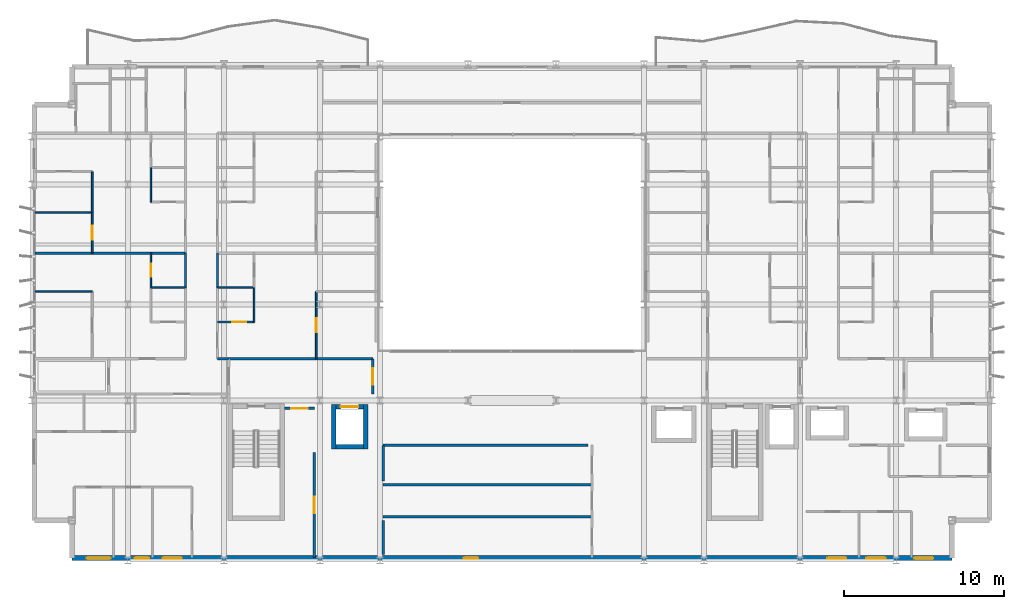
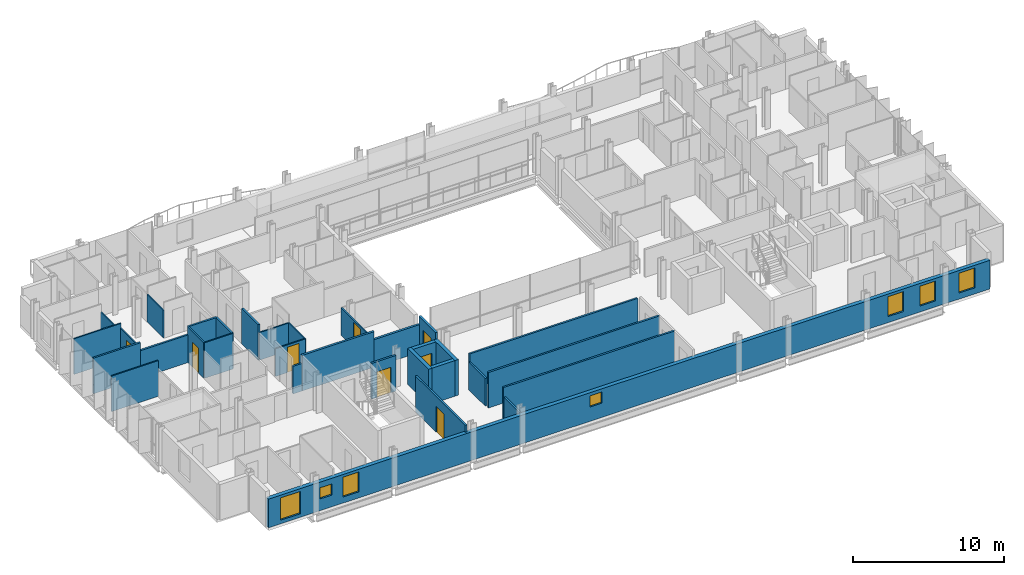
# One storey, part 28 of 39: 32 walls, 8 doors, 7 windows, 15 openings.
"""IFC4 building model written with IfcOpenShell, lengths in metres."""

from ifc_helpers import new_model, si_unit, direction, frame, frame_2d, origin, place, context, subcontext, project, spatial, rectangle, extrude, material, layer, layer_set, type_object, element, fill, save


model = new_model("IFC4")

# Units and contexts
model_context = context("Model", 3, precision=1e-05, world=origin(), true_north=direction((0.0, 1.0)))
body_context = subcontext(model_context, "Body", "Model", "MODEL_VIEW")
ifc_project = project(units=[si_unit("LENGTHUNIT", "METRE"), si_unit("AREAUNIT", "SQUARE_METRE"), si_unit("VOLUMEUNIT", "CUBIC_METRE"), si_unit("PLANEANGLEUNIT", "RADIAN"), si_unit("MASSUNIT", "GRAM", prefix="KILO")], contexts=[model_context])

# Site, building, storey
site_placement = place(None, origin())
site = spatial("IfcSite", under=ifc_project, at=site_placement, CompositionType="ELEMENT")
building_placement = place(site_placement, origin())
building = spatial("IfcBuilding", under=site, at=building_placement, Name="Brevholm Reach", CompositionType="ELEMENT")
storey_placement = place(building_placement, frame((0.0, 0.0, 83.800048828125)))
storey = spatial("IfcBuildingStorey", under=building, at=storey_placement, Name="L24", CompositionType="ELEMENT", Elevation=83.800048828125)

# Walls
ifc_material_1 = material(Name="Concrete C50/60", Category="concrete")
ifc_layer_1 = layer(ifc_material_1, 0.280029296875)
ifc_layer_set_1 = layer_set([ifc_layer_1], Name="Concrete C50/60")
wall_type_1 = type_object("IfcWallType", Name="WAL-COR-280", PredefinedType="SHEAR", material=ifc_layer_set_1)
for number, where, z_axis, x_axis, name in (
    (1, (18.85009765625, 6.9599609375, 0.0), (0.0, 0.0, 1.0), (0.0, 1.0, 0.0), "L24 Lift FFL-1 Shaft Wall W"),
    (2, (20.85009765625, 6.9599609375, 0.0), (0.0, 0.0, 1.0), (0.0, 1.0, 0.0), "L24 Lift FFL-1 Shaft Wall E"),
):
    element("IfcWall", number, at=place(storey_placement, frame(where, z_axis=z_axis, x_axis=x_axis)), inside=storey, type_object=wall_type_1, Name=name, PredefinedType="SHEAR", context=body_context, shape_type="SweptSolid", body=[
        extrude(rectangle(XDim=2.780029296875, YDim=0.280029296875, at=frame_2d((1.39013671875, 0.0))), origin(), (0.0, 0.0, 1.0), 2.869873046875),
    ])
wall_1_placement = place(storey_placement, frame((18.989990234375, 7.10009765625, 0.0), z_axis=(0.0, 0.0, 1.0), x_axis=(1.0, 0.0, 0.0)))
element("IfcWall", 3, at=wall_1_placement, inside=storey, type_object=wall_type_1, Name="L24 Lift FFL-1 Shaft Wall S", PredefinedType="SHEAR", context=body_context, shape_type="SweptSolid", body=[
    extrude(rectangle(XDim=1.719970703125, YDim=0.280029296875, at=frame_2d((0.85986328125, 0.0))), origin(), (0.0, 0.0, 1.0), 2.869873046875),
])

# Wall, opening, door
wall_2_placement = place(storey_placement, frame((18.989990234375, 9.60009765625, 0.0), z_axis=(0.0, 0.0, 1.0), x_axis=(1.0, 0.0, 0.0)))
wall_2 = element("IfcWall", 4, at=wall_2_placement, inside=storey, type_object=wall_type_1, Name="L24 Lift FFL-1 Shaft Wall N", PredefinedType="SHEAR", context=body_context, shape_type="SweptSolid", body=[
    extrude(rectangle(XDim=1.719970703125, YDim=0.280029296875, at=frame_2d((0.85986328125, 0.0))), origin(), (0.0, 0.0, 1.0), 2.869873046875),
])
opening_1_placement = place(wall_2_placement, frame((0.31005859375, 0.0, 0.0)))
opening_1 = element("IfcOpeningElement", 5, at=opening_1_placement, cuts=wall_2, Name="Opening LD-FFL-1", PredefinedType="OPENING", context=body_context, shape_type="SweptSolid", body=[
    extrude(rectangle(XDim=1.10009765625, YDim=2.06005859375, at=frame_2d((0.550048828125, 1.030029296875))), frame((0.0, 0.14990234375, 0.0), z_axis=(0.0, -1.0, 0.0), x_axis=(1.0, 0.0, 0.0)), (0.0, 0.0, 1.0), 0.300048828125),
])
ifc_material_2 = material(Name="Brushed Stainless Steel Fire-Rated Sliding Lift Door", Category="steel")
door_type_1 = type_object("IfcDoorType", Name="DOR-LFT-1100", OperationType="NOTDEFINED", PredefinedType="DOOR", material=ifc_material_2)
door_1_placement = place(opening_1_placement, origin())
door_1 = element("IfcDoor", 6, at=door_1_placement, inside=storey, type_object=door_type_1, Name="L24 Lift FFL-1 Sliding Landing Door", OperationType="SLIDING_TO_RIGHT", OverallHeight=2.06005859375, OverallWidth=1.10009765625, PredefinedType="DOOR", context=body_context, shape_type="SweptSolid", body=[
    extrude(rectangle(XDim=1.10009765625, YDim=2.06005859375, at=frame_2d((0.550048828125, 1.030029296875))), frame((0.0, 0.02490234375, 0.0), z_axis=(0.0, -1.0, 0.0), x_axis=(1.0, 0.0, 0.0)), (0.0, 0.0, 1.0), 0.050048828125),
])
fill(opening_1, door_1)

# Wall, openings, windows
ifc_material_3 = material(Name="Concrete C40/50", Category="concrete")
ifc_layer_2 = layer(ifc_material_3, 0.300048828125)
ifc_layer_set_2 = layer_set([ifc_layer_2], Name="Concrete C40/50")
wall_type_2 = type_object("IfcWallType", Name="WAL-EXT-300", PredefinedType="STANDARD", material=ifc_layer_set_2)
wall_3_placement = place(storey_placement, frame((2.5, 0.14990234375, 0.0), z_axis=(0.0, 0.0, 1.0), x_axis=(1.0, 0.0, 0.0)))
wall_3 = element("IfcWall", 7, at=wall_3_placement, inside=storey, type_object=wall_type_2, Name="L24 Facade Wall WAL-L24-S", PredefinedType="STANDARD", context=body_context, shape_type="SweptSolid", body=[
    extrude(rectangle(XDim=55.0, YDim=0.300048828125, at=frame_2d((27.5, 0.0))), origin(), (0.0, 0.0, 1.0), 2.305419921875),
])
opening_2_placement = place(wall_3_placement, frame((0.919921875, 0.0, 0.285888671875)))
opening_2 = element("IfcOpeningElement", 8, at=opening_2_placement, cuts=wall_3, Name="Opening WN-05", PredefinedType="OPENING", context=body_context, shape_type="SweptSolid", body=[
    extrude(rectangle(XDim=1.5, YDim=1.800048828125, at=frame_2d((0.75, 0.89990234375))), frame((0.0, 0.159912109375, 0.0), z_axis=(0.0, -1.0, 0.0), x_axis=(1.0, 0.0, 0.0)), (0.0, 0.0, 1.0), 0.320068359375),
])
opening_3_placement = place(wall_3_placement, frame((24.5, 0.0, 1.14990234375)))
opening_3 = element("IfcOpeningElement", 9, at=opening_3_placement, cuts=wall_3, Name="Opening WN-09", PredefinedType="OPENING", context=body_context, shape_type="SweptSolid", body=[
    extrude(rectangle(XDim=0.89990234375, YDim=0.89990234375, at=frame_2d((0.449951171875, 0.449951171875))), frame((0.0, 0.159912109375, 0.0), z_axis=(0.0, -1.0, 0.0), x_axis=(1.0, 0.0, 0.0)), (0.0, 0.0, 1.0), 0.320068359375),
])
opening_4_placement = place(wall_3_placement, frame((47.199951171875, 0.0, 0.486083984375)))
opening_4 = element("IfcOpeningElement", 10, at=opening_4_placement, cuts=wall_3, Name="Opening WN-08", PredefinedType="OPENING", context=body_context, shape_type="SweptSolid", body=[
    extrude(rectangle(XDim=1.199951171875, YDim=1.60009765625, at=frame_2d((0.60009765625, 0.800048828125))), frame((0.0, 0.159912109375, 0.0), z_axis=(0.0, -1.0, 0.0), x_axis=(1.0, 0.0, 0.0)), (0.0, 0.0, 1.0), 0.320068359375),
])
opening_5_placement = place(wall_3_placement, frame((52.6298828125, 0.0, 0.486083984375)))
opening_5 = element("IfcOpeningElement", 11, at=opening_5_placement, cuts=wall_3, Name="Opening WN-08", PredefinedType="OPENING", context=body_context, shape_type="SweptSolid", body=[
    extrude(rectangle(XDim=1.199951171875, YDim=1.60009765625, at=frame_2d((0.60009765625, 0.800048828125))), frame((0.0, 0.159912109375, 0.0), z_axis=(0.0, -1.0, 0.0), x_axis=(1.0, 0.0, 0.0)), (0.0, 0.0, 1.0), 0.320068359375),
])
opening_6_placement = place(wall_3_placement, frame((3.923828125, 0.0, 0.949951171875)))
opening_6 = element("IfcOpeningElement", 12, at=opening_6_placement, cuts=wall_3, Name="Opening WN-09", PredefinedType="OPENING", context=body_context, shape_type="SweptSolid", body=[
    extrude(rectangle(XDim=0.89990234375, YDim=0.89990234375, at=frame_2d((0.449951171875, 0.449951171875))), frame((0.0, 0.159912109375, 0.0), z_axis=(0.0, -1.0, 0.0), x_axis=(1.0, 0.0, 0.0)), (0.0, 0.0, 1.0), 0.320068359375),
])
opening_7_placement = place(wall_3_placement, frame((5.675048828125, 0.0, 0.485595703125)))
opening_7 = element("IfcOpeningElement", 13, at=opening_7_placement, cuts=wall_3, Name="Opening WN-08", PredefinedType="OPENING", context=body_context, shape_type="SweptSolid", body=[
    extrude(rectangle(XDim=1.199951171875, YDim=1.60009765625, at=frame_2d((0.60009765625, 0.800048828125))), frame((0.0, 0.159912109375, 0.0), z_axis=(0.0, -1.0, 0.0), x_axis=(1.0, 0.0, 0.0)), (0.0, 0.0, 1.0), 0.320068359375),
])
opening_8_placement = place(wall_3_placement, frame((49.638671875, 0.0, 0.485595703125)))
opening_8 = element("IfcOpeningElement", 14, at=opening_8_placement, cuts=wall_3, Name="Opening WN-08", PredefinedType="OPENING", context=body_context, shape_type="SweptSolid", body=[
    extrude(rectangle(XDim=1.199951171875, YDim=1.60009765625, at=frame_2d((0.60009765625, 0.800048828125))), frame((0.0, 0.159912109375, 0.0), z_axis=(0.0, -1.0, 0.0), x_axis=(1.0, 0.0, 0.0)), (0.0, 0.0, 1.0), 0.320068359375),
])
ifc_material_4 = material(Name="Dark Anodised Aluminium and Solar-Control IGU Glass", Category="aluminium")
window_type_1 = type_object("IfcWindowType", Name="WIN-POR-0900", PartitioningType="SINGLE_PANEL", PredefinedType="WINDOW", material=ifc_material_4)
window_1_placement = place(opening_3_placement, origin())
window_1 = element("IfcWindow", 15, at=window_1_placement, inside=storey, type_object=window_type_1, Name="L24 Window WIN-L24-S-POR", OverallHeight=0.89990234375, OverallWidth=0.89990234375, PartitioningType="SINGLE_PANEL", PredefinedType="WINDOW", context=body_context, shape_type="SweptSolid", body=[
    extrude(rectangle(XDim=0.89990234375, YDim=0.89990234375, at=frame_2d((0.449951171875, 0.449951171875))), frame((0.0, 0.030029296875, 0.0), z_axis=(0.0, -1.0, 0.0), x_axis=(1.0, 0.0, 0.0)), (0.0, 0.0, 1.0), 0.06005859375),
])
fill(opening_3, window_1)
window_2_placement = place(opening_6_placement, origin())
window_2 = element("IfcWindow", 16, at=window_2_placement, inside=storey, type_object=window_type_1, Name="L24 Bedroom Window 028", OverallHeight=0.89990234375, OverallWidth=0.89990234375, PartitioningType="SINGLE_PANEL", PredefinedType="WINDOW", context=body_context, shape_type="SweptSolid", body=[
    extrude(rectangle(XDim=0.89990234375, YDim=0.89990234375, at=frame_2d((0.449951171875, 0.449951171875))), frame((0.0, 0.030029296875, 0.0), z_axis=(0.0, -1.0, 0.0), x_axis=(1.0, 0.0, 0.0)), (0.0, 0.0, 1.0), 0.06005859375),
])
fill(opening_6, window_2)
ifc_material_5 = material(Name="Dark Anodised Aluminium and Solar-Control IGU Glass", Category="aluminium")
window_type_2 = type_object("IfcWindowType", Name="WIN-RES-1200", PartitioningType="SINGLE_PANEL", PredefinedType="WINDOW", material=ifc_material_5)
window_3_placement = place(opening_4_placement, origin())
window_3 = element("IfcWindow", 17, at=window_3_placement, inside=storey, type_object=window_type_2, Name="L24 Window WIN-L24-S-E1", OverallHeight=1.60009765625, OverallWidth=1.199951171875, PartitioningType="SINGLE_PANEL", PredefinedType="WINDOW", context=body_context, shape_type="SweptSolid", body=[
    extrude(rectangle(XDim=1.199951171875, YDim=1.60009765625, at=frame_2d((0.60009765625, 0.800048828125))), frame((0.0, 0.030029296875, 0.0), z_axis=(0.0, -1.0, 0.0), x_axis=(1.0, 0.0, 0.0)), (0.0, 0.0, 1.0), 0.06005859375),
])
fill(opening_4, window_3)
window_4_placement = place(opening_5_placement, origin())
window_4 = element("IfcWindow", 18, at=window_4_placement, inside=storey, type_object=window_type_2, Name="L24 Window WIN-L24-S-E2", OverallHeight=1.60009765625, OverallWidth=1.199951171875, PartitioningType="SINGLE_PANEL", PredefinedType="WINDOW", context=body_context, shape_type="SweptSolid", body=[
    extrude(rectangle(XDim=1.199951171875, YDim=1.60009765625, at=frame_2d((0.60009765625, 0.800048828125))), frame((0.0, 0.030029296875, 0.0), z_axis=(0.0, -1.0, 0.0), x_axis=(1.0, 0.0, 0.0)), (0.0, 0.0, 1.0), 0.06005859375),
])
fill(opening_5, window_4)
window_5_placement = place(opening_7_placement, origin())
window_5 = element("IfcWindow", 19, at=window_5_placement, inside=storey, type_object=window_type_2, Name="L24 Bedroom Window 029", OverallHeight=1.60009765625, OverallWidth=1.199951171875, PartitioningType="SINGLE_PANEL", PredefinedType="WINDOW", context=body_context, shape_type="SweptSolid", body=[
    extrude(rectangle(XDim=1.199951171875, YDim=1.60009765625, at=frame_2d((0.60009765625, 0.800048828125))), frame((0.0, 0.030029296875, 0.0), z_axis=(0.0, -1.0, 0.0), x_axis=(1.0, 0.0, 0.0)), (0.0, 0.0, 1.0), 0.06005859375),
])
fill(opening_7, window_5)
window_6_placement = place(opening_8_placement, origin())
window_6 = element("IfcWindow", 20, at=window_6_placement, inside=storey, type_object=window_type_2, Name="L24 Bedroom Window 030", OverallHeight=1.60009765625, OverallWidth=1.199951171875, PartitioningType="SINGLE_PANEL", PredefinedType="WINDOW", context=body_context, shape_type="SweptSolid", body=[
    extrude(rectangle(XDim=1.199951171875, YDim=1.60009765625, at=frame_2d((0.60009765625, 0.800048828125))), frame((0.0, 0.030029296875, 0.0), z_axis=(0.0, -1.0, 0.0), x_axis=(1.0, 0.0, 0.0)), (0.0, 0.0, 1.0), 0.06005859375),
])
fill(opening_8, window_6)
ifc_material_6 = material(Name="Dark Anodised Aluminium and Solar-Control IGU Glass", Category="aluminium")
window_type_3 = type_object("IfcWindowType", Name="WIN-RES-1500", PartitioningType="SINGLE_PANEL", PredefinedType="WINDOW", material=ifc_material_6)
window_7_placement = place(opening_2_placement, origin())
window_7 = element("IfcWindow", 21, at=window_7_placement, inside=storey, type_object=window_type_3, Name="L24 Window WIN-L24-S-W1", OverallHeight=1.800048828125, OverallWidth=1.5, PartitioningType="SINGLE_PANEL", PredefinedType="WINDOW", context=body_context, shape_type="SweptSolid", body=[
    extrude(rectangle(XDim=1.5, YDim=1.800048828125, at=frame_2d((0.75, 0.89990234375))), frame((0.0, 0.030029296875, 0.0), z_axis=(0.0, -1.0, 0.0), x_axis=(1.0, 0.0, 0.0)), (0.0, 0.0, 1.0), 0.06005859375),
])
fill(opening_2, window_7)

# Wall
ifc_material_7 = material(Name="Moisture-Resistant Acoustic Gypsum Stud Partition 100 mm", Category="gypsum")
ifc_layer_3 = layer(ifc_material_7, 0.10009765625)
ifc_layer_set_3 = layer_set([ifc_layer_3], Name="Moisture-Resistant Acoustic Gypsum Stud Partition 100 mm")
wall_type_3 = type_object("IfcWallType", Name="WAL-PRT-100", PredefinedType="PARTITIONING", material=ifc_layer_set_3)
wall_4_placement = place(storey_placement, frame((7.43798828125, 17.050048828125, 0.0), z_axis=(0.0, 0.0, 1.0), x_axis=(1.0, 0.0, 0.0)))
element("IfcWall", 22, at=wall_4_placement, inside=storey, type_object=wall_type_3, Name="L24 Internal Partition 086", PredefinedType="PARTITIONING", context=body_context, shape_type="SweptSolid", body=[
    extrude(rectangle(XDim=2.157958984375, YDim=0.10009765625, at=frame_2d((1.0791015625, 0.0))), origin(), (0.0, 0.0, 1.0), 2.869873046875),
])

# Wall, opening, door
wall_5_placement = place(storey_placement, frame((7.43798828125, 17.050048828125, 0.0), z_axis=(0.0, 0.0, 1.0), x_axis=(0.0, 1.0, 0.0)))
wall_5 = element("IfcWall", 23, at=wall_5_placement, inside=storey, type_object=wall_type_3, Name="L24 Internal Partition 087", PredefinedType="PARTITIONING", context=body_context, shape_type="SweptSolid", body=[
    extrude(rectangle(XDim=2.14990234375, YDim=0.10009765625, at=frame_2d((1.074951171875, 0.0))), origin(), (0.0, 0.0, 1.0), 2.869873046875),
])
opening_9_placement = place(wall_5_placement, frame((0.6650390625, 0.0, 0.0)))
opening_9 = element("IfcOpeningElement", 24, at=opening_9_placement, cuts=wall_5, Name="Opening ID-03", PredefinedType="OPENING", context=body_context, shape_type="SweptSolid", body=[
    extrude(rectangle(XDim=0.820068359375, YDim=2.02001953125, at=frame_2d((0.41015625, 1.010009765625))), frame((0.0, 0.06005859375, 0.0), z_axis=(0.0, -1.0, 0.0), x_axis=(1.0, 0.0, 0.0)), (0.0, 0.0, 1.0), 0.1201171875),
])
ifc_material_8 = material(Name="Moisture-Resistant Painted Timber Internal Bathroom Door", Category="wood")
door_type_2 = type_object("IfcDoorType", Name="DOR-BATH-820", OperationType="NOTDEFINED", PredefinedType="DOOR", material=ifc_material_8)
door_2_placement = place(opening_9_placement, origin())
door_2 = element("IfcDoor", 25, at=door_2_placement, inside=storey, type_object=door_type_2, Name="L24 Internal Door 034", OperationType="SINGLE_SWING_LEFT", OverallHeight=2.02001953125, OverallWidth=0.820068359375, PredefinedType="DOOR", context=body_context, shape_type="SweptSolid", body=[
    extrude(rectangle(XDim=0.820068359375, YDim=2.02001953125, at=frame_2d((0.41015625, 1.010009765625))), frame((0.0, 0.02490234375, 0.0), z_axis=(0.0, -1.0, 0.0), x_axis=(1.0, 0.0, 0.0)), (0.0, 0.0, 1.0), 0.050048828125),
])
fill(opening_9, door_2)

# Walls
wall_6_placement = place(storey_placement, frame((0.199951171875, 16.800048828125, 0.0), z_axis=(0.0, 0.0, 1.0), x_axis=(1.0, 0.0, 0.0)))
element("IfcWall", 26, at=wall_6_placement, inside=storey, type_object=wall_type_3, Name="L24 Internal Partition 092", PredefinedType="PARTITIONING", context=body_context, shape_type="SweptSolid", body=[
    extrude(rectangle(XDim=3.572021484375, YDim=0.10009765625, at=frame_2d((1.7861328125, 0.0))), origin(), (0.0, 0.0, 1.0), 2.869873046875),
])
wall_7_placement = place(storey_placement, frame((7.43798828125, 22.39990234375, 0.0), z_axis=(0.0, 0.0, 1.0), x_axis=(0.0, 1.0, 0.0)))
element("IfcWall", 27, at=wall_7_placement, inside=storey, type_object=wall_type_3, Name="L24 Internal Partition 099", PredefinedType="PARTITIONING", context=body_context, shape_type="SweptSolid", body=[
    extrude(rectangle(XDim=2.14599609375, YDim=0.10009765625, at=frame_2d((1.072998046875, 0.0))), origin(), (0.0, 0.0, 1.0), 2.224853515625),
])
wall_8_placement = place(storey_placement, frame((0.199951171875, 21.75, 0.0), z_axis=(0.0, 0.0, 1.0), x_axis=(1.0, 0.0, 0.0)))
element("IfcWall", 28, at=wall_8_placement, inside=storey, type_object=wall_type_3, Name="L24 Internal Partition 100", PredefinedType="PARTITIONING", context=body_context, shape_type="SweptSolid", body=[
    extrude(rectangle(XDim=3.572021484375, YDim=0.10009765625, at=frame_2d((1.7861328125, 0.0))), origin(), (0.0, 0.0, 1.0), 2.869873046875),
])

# Wall, opening, door
wall_9_placement = place(storey_placement, frame((3.77197265625, 19.2041015625, 0.0), z_axis=(0.0, 0.0, 1.0), x_axis=(0.0, 1.0, 0.0)))
wall_9 = element("IfcWall", 29, at=wall_9_placement, inside=storey, type_object=wall_type_3, Name="L24 Internal Partition 101", PredefinedType="PARTITIONING", context=body_context, shape_type="SweptSolid", body=[
    extrude(rectangle(XDim=2.5458984375, YDim=0.10009765625, at=frame_2d((1.27294921875, 0.0))), origin(), (0.0, 0.0, 1.0), 2.489990234375),
])
opening_10_placement = place(wall_9_placement, frame((0.8330078125, 0.0, 0.0)))
opening_10 = element("IfcOpeningElement", 30, at=opening_10_placement, cuts=wall_9, Name="Opening ID-01", PredefinedType="OPENING", context=body_context, shape_type="SweptSolid", body=[
    extrude(rectangle(XDim=0.8798828125, YDim=2.0400390625, at=frame_2d((0.43994140625, 1.02001953125))), frame((0.0, 0.06005859375, 0.0), z_axis=(0.0, -1.0, 0.0), x_axis=(1.0, 0.0, 0.0)), (0.0, 0.0, 1.0), 0.1201171875),
])
ifc_material_9 = material(Name="Lacquered Ash Solid-Core Acoustic Internal Door", Category="timber")
door_type_3 = type_object("IfcDoorType", Name="DOR-INT-880", OperationType="NOTDEFINED", PredefinedType="DOOR", material=ifc_material_9)
door_3_placement = place(opening_10_placement, origin())
door_3 = element("IfcDoor", 31, at=door_3_placement, inside=storey, type_object=door_type_3, Name="L24 Internal Door 039", OperationType="SINGLE_SWING_RIGHT", OverallHeight=2.0400390625, OverallWidth=0.8798828125, PredefinedType="DOOR", context=body_context, shape_type="SweptSolid", body=[
    extrude(rectangle(XDim=0.8798828125, YDim=2.0400390625, at=frame_2d((0.43994140625, 1.02001953125))), frame((0.0, 0.02490234375, 0.0), z_axis=(0.0, -1.0, 0.0), x_axis=(1.0, 0.0, 0.0)), (0.0, 0.0, 1.0), 0.050048828125),
])
fill(opening_10, door_3)

# Walls
wall_10_placement = place(storey_placement, frame((3.77197265625, 21.75390625, 0.0), z_axis=(0.0, 0.0, 1.0), x_axis=(0.0, 1.0, 0.0)))
element("IfcWall", 32, at=wall_10_placement, inside=storey, type_object=wall_type_3, Name="L24 Internal Partition 102", PredefinedType="PARTITIONING", context=body_context, shape_type="SweptSolid", body=[
    extrude(rectangle(XDim=2.546142578125, YDim=0.10009765625, at=frame_2d((1.27294921875, 0.0))), origin(), (0.0, 0.0, 1.0), 2.224853515625),
])
wall_11_placement = place(storey_placement, frame((11.60400390625, 17.050048828125, 0.0), z_axis=(0.0, 0.0, 1.0), x_axis=(1.0, 0.0, 0.0)))
element("IfcWall", 33, at=wall_11_placement, inside=storey, type_object=wall_type_3, Name="L24 Internal Partition 108", PredefinedType="PARTITIONING", context=body_context, shape_type="SweptSolid", body=[
    extrude(rectangle(XDim=2.284912109375, YDim=0.10009765625, at=frame_2d((1.142578125, 0.0))), origin(), (0.0, 0.0, 1.0), 2.224853515625),
])

# Wall, opening, door
wall_12_placement = place(storey_placement, frame((11.60400390625, 14.89990234375, 0.0), z_axis=(0.0, 0.0, 1.0), x_axis=(1.0, 0.0, 0.0)))
wall_12 = element("IfcWall", 34, at=wall_12_placement, inside=storey, type_object=wall_type_3, Name="L24 Internal Partition 111", PredefinedType="PARTITIONING", context=body_context, shape_type="SweptSolid", body=[
    extrude(rectangle(XDim=2.284912109375, YDim=0.10009765625, at=frame_2d((1.142578125, 0.0))), origin(), (0.0, 0.0, 1.0), 2.224853515625),
])
opening_11_placement = place(wall_12_placement, frame((0.922607421875, 0.0, 0.0)))
opening_11 = element("IfcOpeningElement", 35, at=opening_11_placement, cuts=wall_12, Name="Opening ID-01", PredefinedType="OPENING", context=body_context, shape_type="SweptSolid", body=[
    extrude(rectangle(XDim=0.8798828125, YDim=2.0400390625, at=frame_2d((0.43994140625, 1.02001953125))), frame((0.0, 0.06005859375, 0.0), z_axis=(0.0, -1.0, 0.0), x_axis=(1.0, 0.0, 0.0)), (0.0, 0.0, 1.0), 0.1201171875),
])
door_4_placement = place(opening_11_placement, origin())
door_4 = element("IfcDoor", 36, at=door_4_placement, inside=storey, type_object=door_type_3, Name="L24 Internal Door 042", OperationType="SINGLE_SWING_LEFT", OverallHeight=2.0400390625, OverallWidth=0.8798828125, PredefinedType="DOOR", context=body_context, shape_type="SweptSolid", body=[
    extrude(rectangle(XDim=0.8798828125, YDim=2.0400390625, at=frame_2d((0.43994140625, 1.02001953125))), frame((0.0, 0.02490234375, 0.0), z_axis=(0.0, -1.0, 0.0), x_axis=(1.0, 0.0, 0.0)), (0.0, 0.0, 1.0), 0.050048828125),
])
fill(opening_11, door_4)

# Wall
wall_13_placement = place(storey_placement, frame((13.888916015625, 14.89990234375, 0.0), z_axis=(0.0, 0.0, 1.0), x_axis=(0.0, 1.0, 0.0)))
element("IfcWall", 37, at=wall_13_placement, inside=storey, type_object=wall_type_3, Name="L24 Internal Partition 112", PredefinedType="PARTITIONING", context=body_context, shape_type="SweptSolid", body=[
    extrude(rectangle(XDim=2.14599609375, YDim=0.10009765625, at=frame_2d((1.072998046875, 0.0))), origin(), (0.0, 0.0, 1.0), 2.224853515625),
])

# Wall, opening, door
wall_14_placement = place(storey_placement, frame((17.76904296875, 12.60400390625, 0.0), z_axis=(0.0, 0.0, 1.0), x_axis=(0.0, 1.0, 0.0)))
wall_14 = element("IfcWall", 38, at=wall_14_placement, inside=storey, type_object=wall_type_3, Name="L24 Internal Partition 114", PredefinedType="PARTITIONING", context=body_context, shape_type="SweptSolid", body=[
    extrude(rectangle(XDim=4.196044921875, YDim=0.10009765625, at=frame_2d((2.09814453125, 0.0))), origin(), (0.0, 0.0, 1.0), 2.224853515625),
])
opening_12_placement = place(wall_14_placement, frame((1.657958984375, 0.0, 0.0)))
opening_12 = element("IfcOpeningElement", 39, at=opening_12_placement, cuts=wall_14, Name="Opening ID-01", PredefinedType="OPENING", context=body_context, shape_type="SweptSolid", body=[
    extrude(rectangle(XDim=0.8798828125, YDim=2.0400390625, at=frame_2d((0.43994140625, 1.02001953125))), frame((0.0, 0.06005859375, 0.0), z_axis=(0.0, -1.0, 0.0), x_axis=(1.0, 0.0, 0.0)), (0.0, 0.0, 1.0), 0.1201171875),
])
door_5_placement = place(opening_12_placement, origin())
door_5 = element("IfcDoor", 40, at=door_5_placement, inside=storey, type_object=door_type_3, Name="L24 Internal Door 043", OperationType="SINGLE_SWING_RIGHT", OverallHeight=2.0400390625, OverallWidth=0.8798828125, PredefinedType="DOOR", context=body_context, shape_type="SweptSolid", body=[
    extrude(rectangle(XDim=0.8798828125, YDim=2.0400390625, at=frame_2d((0.43994140625, 1.02001953125))), frame((0.0, 0.02490234375, 0.0), z_axis=(0.0, -1.0, 0.0), x_axis=(1.0, 0.0, 0.0)), (0.0, 0.0, 1.0), 0.050048828125),
])
fill(opening_12, door_5)

# Walls
ifc_material_10 = material(Name="Twin-Stud Acoustic Fire-Rated Gypsum Partition 140 mm", Category="gypsum")
ifc_layer_4 = layer(ifc_material_10, 0.139892578125)
ifc_layer_set_4 = layer_set([ifc_layer_4], Name="Twin-Stud Acoustic Fire-Rated Gypsum Partition 140 mm")
wall_type_4 = type_object("IfcWallType", Name="WAL-PRT-140", PredefinedType="PARTITIONING", material=ifc_layer_set_4)
for number, where, z_axis, x_axis, name in (
    (41, (21.949951171875, 2.737060546875, 0.0), (0.0, 0.0, 1.0), (1.0, 0.0, 0.0), "L24 Internal Partition 004"),
    (42, (21.949951171875, 4.740966796875, 0.0), (0.0, 0.0, 1.0), (1.0, 0.0, 0.0), "L24 Internal Partition 005"),
):
    element("IfcWall", number, at=place(storey_placement, frame(where, z_axis=z_axis, x_axis=x_axis)), inside=storey, type_object=wall_type_4, Name=name, PredefinedType="PARTITIONING", context=body_context, shape_type="SweptSolid", body=[
        extrude(rectangle(XDim=13.046142578125, YDim=0.139892578125, at=frame_2d((6.52294921875, 0.0))), origin(), (0.0, 0.0, 1.0), 2.869873046875),
    ])

# Wall, opening, door
wall_15_placement = place(storey_placement, frame((17.64990234375, 0.179931640625, 0.0), z_axis=(0.0, 0.0, 1.0), x_axis=(0.0, 1.0, 0.0)))
wall_15 = element("IfcWall", 43, at=wall_15_placement, inside=storey, type_object=wall_type_4, Name="L24 Internal Partition 006", PredefinedType="PARTITIONING", context=body_context, shape_type="SweptSolid", body=[
    extrude(rectangle(XDim=6.581298828125, YDim=0.139892578125, at=frame_2d((3.29052734375, 0.0))), origin(), (0.0, 0.0, 1.0), 2.869873046875),
])
opening_13_placement = place(wall_15_placement, frame((2.765625, 0.0, 0.0)))
opening_13 = element("IfcOpeningElement", 44, at=opening_13_placement, cuts=wall_15, Name="Opening FD-01", PredefinedType="OPENING", context=body_context, shape_type="SweptSolid", body=[
    extrude(rectangle(XDim=1.050048828125, YDim=2.06005859375, at=frame_2d((0.52490234375, 1.030029296875))), frame((0.0, 0.079833984375, 0.0), z_axis=(0.0, -1.0, 0.0), x_axis=(1.0, 0.0, 0.0)), (0.0, 0.0, 1.0), 0.159912109375),
])
ifc_material_11 = material(Name="Hardwood-Lipped Steel-Core Fire and Smoke Door", Category="steel")
door_type_4 = type_object("IfcDoorType", Name="DOR-INT-FD60S", OperationType="NOTDEFINED", PredefinedType="DOOR", material=ifc_material_11)
door_6_placement = place(opening_13_placement, origin())
door_6 = element("IfcDoor", 45, at=door_6_placement, inside=storey, type_object=door_type_4, Name="L24 Internal Door 004", OperationType="SINGLE_SWING_LEFT", OverallHeight=2.06005859375, OverallWidth=1.050048828125, PredefinedType="DOOR", context=body_context, shape_type="SweptSolid", body=[
    extrude(rectangle(XDim=1.050048828125, YDim=2.06005859375, at=frame_2d((0.52490234375, 1.030029296875))), frame((0.0, 0.02490234375, 0.0), z_axis=(0.0, -1.0, 0.0), x_axis=(1.0, 0.0, 0.0)), (0.0, 0.0, 1.0), 0.050048828125),
])
fill(opening_13, door_6)

# Walls
wall_16_placement = place(storey_placement, frame((11.5927734375, 12.60009765625, 0.0), z_axis=(0.0, 0.0, 1.0), x_axis=(1.0, 0.0, 0.0)))
element("IfcWall", 46, at=wall_16_placement, inside=storey, type_object=wall_type_4, Name="L24 Internal Partition 024", PredefinedType="PARTITIONING", context=body_context, shape_type="SweptSolid", body=[
    extrude(rectangle(XDim=0.703125, YDim=0.139892578125, at=frame_2d((0.3515625, 0.0))), origin(), (0.0, 0.0, 1.0), 2.224853515625),
])
for number, where, z_axis, x_axis, name in (
    (47, (9.60009765625, 17.038818359375, 0.0), (0.0, 0.0, 1.0), (0.0, 1.0, 0.0), "L24 Internal Partition 028"),
    (48, (11.60009765625, 17.038818359375, 0.0), (0.0, 0.0, 1.0), (0.0, 1.0, 0.0), "L24 Internal Partition 034"),
):
    element("IfcWall", number, at=place(storey_placement, frame(where, z_axis=z_axis, x_axis=x_axis)), inside=storey, type_object=wall_type_4, Name=name, PredefinedType="PARTITIONING", context=body_context, shape_type="SweptSolid", body=[
        extrude(rectangle(XDim=2.17236328125, YDim=0.139892578125, at=frame_2d((1.086181640625, 0.0))), origin(), (0.0, 0.0, 1.0), 2.869873046875),
    ])
wall_17_placement = place(storey_placement, frame((7.43798828125, 19.199951171875, 0.0), z_axis=(0.0, 0.0, 1.0), x_axis=(1.0, 0.0, 0.0)))
element("IfcWall", 49, at=wall_17_placement, inside=storey, type_object=wall_type_4, Name="L24 Internal Partition 088", PredefinedType="PARTITIONING", context=body_context, shape_type="SweptSolid", body=[
    extrude(rectangle(XDim=2.157958984375, YDim=0.139892578125, at=frame_2d((1.0791015625, 0.0))), origin(), (0.0, 0.0, 1.0), 2.869873046875),
])
wall_18_placement = place(storey_placement, frame((0.199951171875, 19.199951171875, 0.0), z_axis=(0.0, 0.0, 1.0), x_axis=(1.0, 0.0, 0.0)))
element("IfcWall", 50, at=wall_18_placement, inside=storey, type_object=wall_type_4, Name="L24 Internal Partition 093", PredefinedType="PARTITIONING", context=body_context, shape_type="SweptSolid", body=[
    extrude(rectangle(XDim=3.583251953125, YDim=0.139892578125, at=frame_2d((1.79150390625, 0.0))), origin(), (0.0, 0.0, 1.0), 2.869873046875),
])
wall_19_placement = place(storey_placement, frame((3.7646484375, 19.199951171875, 0.0), z_axis=(0.0, 0.0, 1.0), x_axis=(1.0, 0.0, 0.0)))
element("IfcWall", 51, at=wall_19_placement, inside=storey, type_object=wall_type_4, Name="L24 Internal Partition 094", PredefinedType="PARTITIONING", context=body_context, shape_type="SweptSolid", body=[
    extrude(rectangle(XDim=3.66943359375, YDim=0.139892578125, at=frame_2d((1.834716796875, 0.0))), origin(), (0.0, 0.0, 1.0), 2.224853515625),
])
wall_20_placement = place(storey_placement, frame((21.949951171875, 0.389892578125, 0.0), z_axis=(0.0, 0.0, 1.0), x_axis=(0.0, 1.0, 0.0)))
element("IfcWall", 52, at=wall_20_placement, inside=storey, type_object=wall_type_4, Name="L24 Internal Partition 176", PredefinedType="PARTITIONING", context=body_context, shape_type="SweptSolid", body=[
    extrude(rectangle(XDim=2.107177734375, YDim=0.139892578125, at=frame_2d((1.0537109375, 0.0))), origin(), (0.0, 0.0, 1.0), 2.224853515625),
])
wall_21_placement = place(storey_placement, frame((21.949951171875, 7.199951171875, 0.0), z_axis=(0.0, 0.0, 1.0), x_axis=(1.0, 0.0, 0.0)))
element("IfcWall", 53, at=wall_21_placement, inside=storey, type_object=wall_type_4, Name="L24 Internal Partition 177", PredefinedType="PARTITIONING", context=body_context, shape_type="SweptSolid", body=[
    extrude(rectangle(XDim=12.81005859375, YDim=0.139892578125, at=frame_2d((6.405029296875, 0.0))), origin(), (0.0, 0.0, 1.0), 2.869873046875),
])
wall_22_placement = place(storey_placement, frame((21.949951171875, 4.98095703125, 0.0), z_axis=(0.0, 0.0, 1.0), x_axis=(0.0, 1.0, 0.0)))
element("IfcWall", 54, at=wall_22_placement, inside=storey, type_object=wall_type_4, Name="L24 Internal Partition 178", PredefinedType="PARTITIONING", context=body_context, shape_type="SweptSolid", body=[
    extrude(rectangle(XDim=2.218994140625, YDim=0.139892578125, at=frame_2d((1.109375, 0.0))), origin(), (0.0, 0.0, 1.0), 2.224853515625),
])

# Wall, opening, door
ifc_material_12 = material(Name="Twin-Frame Fire-Rated Gypsum Board and Mineral Wool 160 mm", Category="gypsum")
ifc_layer_5 = layer(ifc_material_12, 0.159912109375)
ifc_layer_set_5 = layer_set([ifc_layer_5], Name="Twin-Frame Fire-Rated Gypsum Board and Mineral Wool 160 mm")
wall_type_5 = type_object("IfcWallType", Name="WAL-PRT-160", PredefinedType="PARTITIONING", material=ifc_layer_set_5)
wall_23_placement = place(storey_placement, frame((15.800048828125, 9.5, 0.0), z_axis=(0.0, 0.0, 1.0), x_axis=(1.0, 0.0, 0.0)))
wall_23 = element("IfcWall", 55, at=wall_23_placement, inside=storey, type_object=wall_type_5, Name="L24 Internal Partition 007", PredefinedType="PARTITIONING", context=body_context, shape_type="SweptSolid", body=[
    extrude(rectangle(XDim=1.849853515625, YDim=0.159912109375, at=frame_2d((0.9248046875, 0.0))), origin(), (0.0, 0.0, 1.0), 2.869873046875),
])
opening_14_placement = place(wall_23_placement, frame((0.39990234375, 0.0, 0.0)))
opening_14 = element("IfcOpeningElement", 56, at=opening_14_placement, cuts=wall_23, Name="Opening FD-01", PredefinedType="OPENING", context=body_context, shape_type="SweptSolid", body=[
    extrude(rectangle(XDim=1.050048828125, YDim=2.06005859375, at=frame_2d((0.52490234375, 1.030029296875))), frame((0.0, 0.08984375, 0.0), z_axis=(0.0, -1.0, 0.0), x_axis=(1.0, 0.0, 0.0)), (0.0, 0.0, 1.0), 0.179931640625),
])
door_7_placement = place(opening_14_placement, origin())
door_7 = element("IfcDoor", 57, at=door_7_placement, inside=storey, type_object=door_type_4, Name="L24 Internal Door 005", OperationType="SINGLE_SWING_RIGHT", OverallHeight=2.06005859375, OverallWidth=1.050048828125, PredefinedType="DOOR", context=body_context, shape_type="SweptSolid", body=[
    extrude(rectangle(XDim=1.050048828125, YDim=2.06005859375, at=frame_2d((0.52490234375, 1.030029296875))), frame((0.0, 0.02490234375, 0.0), z_axis=(0.0, -1.0, 0.0), x_axis=(1.0, 0.0, 0.0)), (0.0, 0.0, 1.0), 0.050048828125),
])
fill(opening_14, door_7)

wall_24_placement = place(storey_placement, frame((21.300048828125, 10.388671875, 0.0), z_axis=(0.0, 0.0, 1.0), x_axis=(0.0, 1.0, 0.0)))
wall_24 = element("IfcWall", 58, at=wall_24_placement, inside=storey, type_object=wall_type_5, Name="L24 Internal Partition 013", PredefinedType="PARTITIONING", context=body_context, shape_type="SweptSolid", body=[
    extrude(rectangle(XDim=2.21142578125, YDim=0.159912109375, at=frame_2d((1.105712890625, 0.0))), origin(), (0.0, 0.0, 1.0), 2.869873046875),
])
opening_15_placement = place(wall_24_placement, frame((0.58056640625, 0.0, 0.0)))
opening_15 = element("IfcOpeningElement", 59, at=opening_15_placement, cuts=wall_24, Name="Opening FD-01", PredefinedType="OPENING", context=body_context, shape_type="SweptSolid", body=[
    extrude(rectangle(XDim=1.050048828125, YDim=2.06005859375, at=frame_2d((0.52490234375, 1.030029296875))), frame((0.0, 0.08984375, 0.0), z_axis=(0.0, -1.0, 0.0), x_axis=(1.0, 0.0, 0.0)), (0.0, 0.0, 1.0), 0.179931640625),
])
door_8_placement = place(opening_15_placement, origin())
door_8 = element("IfcDoor", 60, at=door_8_placement, inside=storey, type_object=door_type_4, Name="L24 Internal Door 010", OperationType="SINGLE_SWING_LEFT", OverallHeight=2.06005859375, OverallWidth=1.050048828125, PredefinedType="DOOR", context=body_context, shape_type="SweptSolid", body=[
    extrude(rectangle(XDim=1.050048828125, YDim=2.06005859375, at=frame_2d((0.52490234375, 1.030029296875))), frame((0.0, 0.02490234375, 0.0), z_axis=(0.0, -1.0, 0.0), x_axis=(1.0, 0.0, 0.0)), (0.0, 0.0, 1.0), 0.050048828125),
])
fill(opening_15, door_8)

# Walls
wall_25_placement = place(storey_placement, frame((17.7578125, 12.60009765625, 0.0), z_axis=(0.0, 0.0, 1.0), x_axis=(1.0, 0.0, 0.0)))
element("IfcWall", 61, at=wall_25_placement, inside=storey, type_object=wall_type_5, Name="L24 Internal Partition 015", PredefinedType="PARTITIONING", context=body_context, shape_type="SweptSolid", body=[
    extrude(rectangle(XDim=3.542236328125, YDim=0.159912109375, at=frame_2d((1.77099609375, 0.0))), origin(), (0.0, 0.0, 1.0), 2.224853515625),
])
wall_26_placement = place(storey_placement, frame((12.300048828125, 12.60009765625, 0.0), z_axis=(0.0, 0.0, 1.0), x_axis=(1.0, 0.0, 0.0)))
element("IfcWall", 62, at=wall_26_placement, inside=storey, type_object=wall_type_5, Name="L24 Internal Partition 016", PredefinedType="PARTITIONING", context=body_context, shape_type="SweptSolid", body=[
    extrude(rectangle(XDim=5.476318359375, YDim=0.159912109375, at=frame_2d((2.73828125, 0.0))), origin(), (0.0, 0.0, 1.0), 2.869873046875),
])

save(model, "model.ifc")
